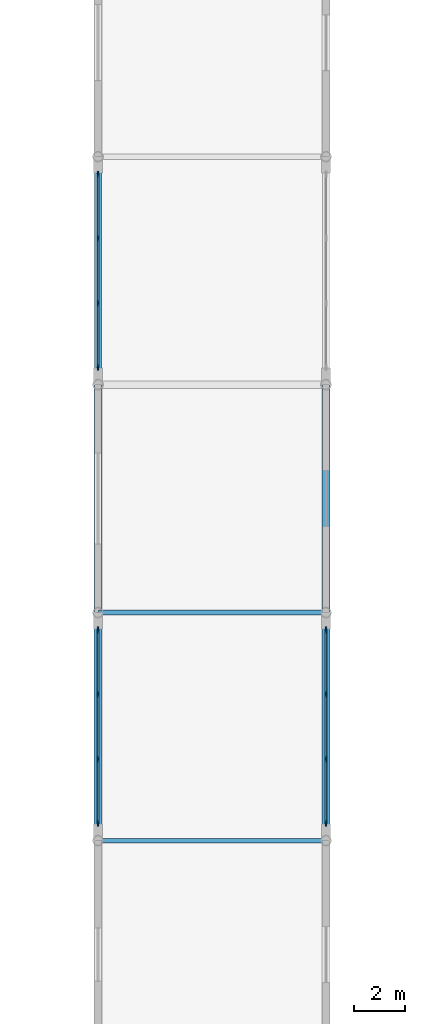
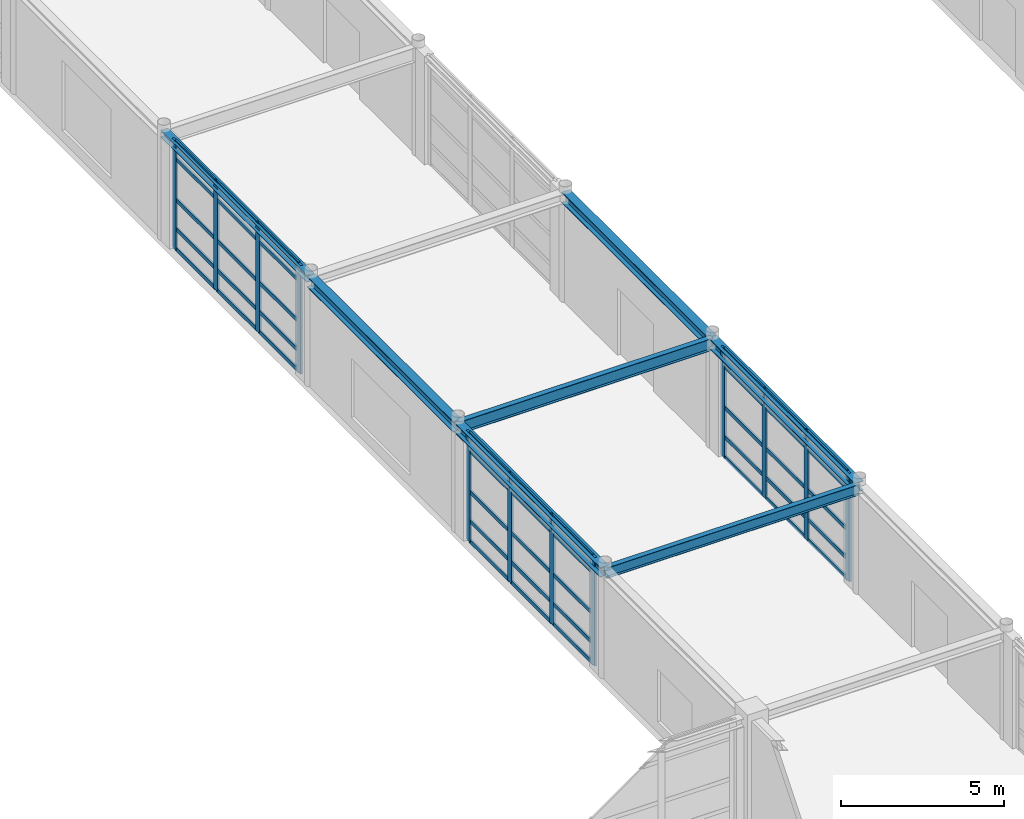
# One storey, part 26 of 72: 57 members, 7 beams, 3 elements without a shape of their own.
"""IFC4 building model written with IfcOpenShell, lengths in metres."""

from ifc_helpers import new_model, si_unit, direction, frame, origin, origin_2d, place, context, subcontext, project, spatial, rectangle, i_section, extrude, material, material_profile, profile_set, type_object, element, aggregate, save


model = new_model("IFC4")

# Units and contexts
model_context = context("Model", 3, precision=1e-05, world=origin(), true_north=direction((0.0, 1.0)))
body_context = subcontext(model_context, "Body", "Model", "MODEL_VIEW")
ifc_project = project(units=[si_unit("LENGTHUNIT", "METRE"), si_unit("AREAUNIT", "SQUARE_METRE"), si_unit("VOLUMEUNIT", "CUBIC_METRE"), si_unit("PLANEANGLEUNIT", "RADIAN"), si_unit("MASSUNIT", "GRAM", prefix="KILO")], contexts=[model_context])

# Site, building, storey
site_placement = place(None, origin())
site = spatial("IfcSite", under=ifc_project, at=site_placement, CompositionType="ELEMENT")
building_placement = place(site_placement, origin())
building = spatial("IfcBuilding", under=site, at=building_placement, Name="Palais des Congres Ocreval", CompositionType="ELEMENT")
storey_placement = place(building_placement, origin())
storey = spatial("IfcBuildingStorey", under=building, at=storey_placement, Name="L00", CompositionType="ELEMENT", Elevation=0.0)

# Beams
ifc_material_1 = material(Name="Steel S355", Category="steel")
ifc_material_profile_1 = material_profile(ifc_material_1, i_section(OverallWidth=0.179931640625, OverallDepth=0.39990234375, WebThickness=0.008544921875, FlangeThickness=0.013427734375, at=origin_2d()), Name="IPE 400")
ifc_profile_set_1 = profile_set([ifc_material_profile_1], Name="Steel S355")
beam_type_1 = type_object("IfcBeamType", Name="Composite Beam IPE 400 Steel S355", PredefinedType="BEAM", material=ifc_profile_set_1)
beam_1_placement = place(storey_placement, frame((72.02001953125, 27.0, 3.85498046875), z_axis=(1.0, 0.0, 0.0), x_axis=(0.0, 1.0, 0.0)))
element("IfcBeam", 1, at=beam_1_placement, inside=storey, type_object=beam_type_1, Name="Beam B02 L00", PredefinedType="BEAM", context=body_context, shape_type="SweptSolid", body=[
    extrude(i_section(OverallWidth=0.179931640625, OverallDepth=0.39990234375, WebThickness=0.008544921875, FlangeThickness=0.013427734375, at=origin_2d()), origin(), (0.0, 0.0, 1.0), 8.9599609375),
])
ifc_material_profile_2 = material_profile(ifc_material_1, i_section(OverallWidth=0.18994140625, OverallDepth=0.449951171875, WebThickness=0.009521484375, FlangeThickness=0.0146484375, at=origin_2d()), Name="IPE 450")
ifc_profile_set_2 = profile_set([ifc_material_profile_2], Name="Steel S355")
beam_type_2 = type_object("IfcBeamType", Name="Composite Beam IPE 450 Steel S355", PredefinedType="BEAM", material=ifc_profile_set_2)
beam_2_placement = place(storey_placement, frame((72.02001953125, 36.0, 3.830078125), z_axis=(1.0, 0.0, 0.0), x_axis=(0.0, 1.0, 0.0)))
element("IfcBeam", 2, at=beam_2_placement, inside=storey, type_object=beam_type_2, Name="Beam B03 L00", PredefinedType="BEAM", context=body_context, shape_type="SweptSolid", body=[
    extrude(i_section(OverallWidth=0.18994140625, OverallDepth=0.449951171875, WebThickness=0.009521484375, FlangeThickness=0.0146484375, at=origin_2d()), origin(), (0.0, 0.0, 1.0), 8.9599609375),
])

# Curtain wall, members
ifc_material_2 = material(Name="Anodized bronze aluminium and low-E glass", Category="glass")
curtain_wall_type = type_object("IfcCurtainWallType", Name="Unitised Curtain Wall 7900x4060", PredefinedType="USERDEFINED", material=ifc_material_2)
curtain_wall_1_placement = place(storey_placement, origin())
curtain_wall_1 = element("IfcCurtainWall", 3, at=curtain_wall_1_placement, inside=storey, type_object=curtain_wall_type, Name="Unitised Curtain Wall CW01 L00", ObjectType="UNITISED CURTAIN WALL", PredefinedType="USERDEFINED")
ifc_material_3 = material(Name="Anodized bronze aluminium", Category="aluminium")
ifc_material_profile_3 = material_profile(ifc_material_3, rectangle(XDim=0.074951171875, YDim=0.239990234375, at=origin_2d()), Name="ALU 75x240")
ifc_profile_set_3 = profile_set([ifc_material_profile_3], Name="Anodized bronze aluminium")
member_type_1 = type_object("IfcMemberType", Name="Curtain Wall Mullion ALU 75x240", PredefinedType="MULLION", material=ifc_profile_set_3)
member_1_placement = place(storey_placement, frame((81.0, 35.3125, 0.0), z_axis=(0.0, 0.0, 1.0), x_axis=(1.0, 0.0, 0.0)))
member_1 = element("IfcMember", 4, at=member_1_placement, type_object=member_type_1, Name="Curtain Wall Mullion ML01", PredefinedType="MULLION", context=body_context, shape_type="SweptSolid", body=[
    extrude(rectangle(XDim=0.074951171875, YDim=0.239990234375, at=origin_2d()), origin(), (0.0, 0.0, 1.0), 4.054931640625),
])
member_2_placement = place(storey_placement, frame((81.0, 32.783203125, 0.0), z_axis=(0.0, 0.0, 1.0), x_axis=(1.0, 0.0, 0.0)))
member_2 = element("IfcMember", 5, at=member_2_placement, type_object=member_type_1, Name="Curtain Wall Mullion ML01", PredefinedType="MULLION", context=body_context, shape_type="SweptSolid", body=[
    extrude(rectangle(XDim=0.074951171875, YDim=0.239990234375, at=origin_2d()), origin(), (0.0, 0.0, 1.0), 4.054931640625),
])
member_3_placement = place(storey_placement, frame((81.0, 30.216796875, 0.0), z_axis=(0.0, 0.0, 1.0), x_axis=(1.0, 0.0, 0.0)))
member_3 = element("IfcMember", 6, at=member_3_placement, type_object=member_type_1, Name="Curtain Wall Mullion ML01", PredefinedType="MULLION", context=body_context, shape_type="SweptSolid", body=[
    extrude(rectangle(XDim=0.074951171875, YDim=0.239990234375, at=origin_2d()), origin(), (0.0, 0.0, 1.0), 4.054931640625),
])
member_4_placement = place(storey_placement, frame((81.0, 27.6875, 0.0), z_axis=(0.0, 0.0, 1.0), x_axis=(1.0, 0.0, 0.0)))
member_4 = element("IfcMember", 7, at=member_4_placement, type_object=member_type_1, Name="Curtain Wall Mullion ML01", PredefinedType="MULLION", context=body_context, shape_type="SweptSolid", body=[
    extrude(rectangle(XDim=0.074951171875, YDim=0.239990234375, at=origin_2d()), origin(), (0.0, 0.0, 1.0), 4.054931640625),
])

curtain_wall_2_placement = place(storey_placement, origin())
curtain_wall_2 = element("IfcCurtainWall", 8, at=curtain_wall_2_placement, inside=storey, type_object=curtain_wall_type, Name="Unitised Curtain Wall CW01 L00", ObjectType="UNITISED CURTAIN WALL", PredefinedType="USERDEFINED")
member_5_placement = place(storey_placement, frame((72.0, 27.6875, 0.0), z_axis=(0.0, 0.0, 1.0), x_axis=(-1.0, 0.0, 0.0)))
member_5 = element("IfcMember", 9, at=member_5_placement, type_object=member_type_1, Name="Curtain Wall Mullion ML01", PredefinedType="MULLION", context=body_context, shape_type="SweptSolid", body=[
    extrude(rectangle(XDim=0.074951171875, YDim=0.239990234375, at=origin_2d()), origin(), (0.0, 0.0, 1.0), 4.054931640625),
])
member_6_placement = place(storey_placement, frame((72.0, 30.216796875, 0.0), z_axis=(0.0, 0.0, 1.0), x_axis=(-1.0, 0.0, 0.0)))
member_6 = element("IfcMember", 10, at=member_6_placement, type_object=member_type_1, Name="Curtain Wall Mullion ML01", PredefinedType="MULLION", context=body_context, shape_type="SweptSolid", body=[
    extrude(rectangle(XDim=0.074951171875, YDim=0.239990234375, at=origin_2d()), origin(), (0.0, 0.0, 1.0), 4.054931640625),
])
member_7_placement = place(storey_placement, frame((72.0, 32.783203125, 0.0), z_axis=(0.0, 0.0, 1.0), x_axis=(-1.0, 0.0, 0.0)))
member_7 = element("IfcMember", 11, at=member_7_placement, type_object=member_type_1, Name="Curtain Wall Mullion ML01", PredefinedType="MULLION", context=body_context, shape_type="SweptSolid", body=[
    extrude(rectangle(XDim=0.074951171875, YDim=0.239990234375, at=origin_2d()), origin(), (0.0, 0.0, 1.0), 4.054931640625),
])
member_8_placement = place(storey_placement, frame((72.0, 35.3125, 0.0), z_axis=(0.0, 0.0, 1.0), x_axis=(-1.0, 0.0, 0.0)))
member_8 = element("IfcMember", 12, at=member_8_placement, type_object=member_type_1, Name="Curtain Wall Mullion ML01", PredefinedType="MULLION", context=body_context, shape_type="SweptSolid", body=[
    extrude(rectangle(XDim=0.074951171875, YDim=0.239990234375, at=origin_2d()), origin(), (0.0, 0.0, 1.0), 4.054931640625),
])

curtain_wall_3_placement = place(storey_placement, origin())
curtain_wall_3 = element("IfcCurtainWall", 13, at=curtain_wall_3_placement, inside=storey, type_object=curtain_wall_type, Name="Unitised Curtain Wall CW01 L00", ObjectType="UNITISED CURTAIN WALL", PredefinedType="USERDEFINED")
member_9_placement = place(storey_placement, frame((72.0, 45.6875, 0.0), z_axis=(0.0, 0.0, 1.0), x_axis=(-1.0, 0.0, 0.0)))
member_9 = element("IfcMember", 14, at=member_9_placement, type_object=member_type_1, Name="Curtain Wall Mullion ML01", PredefinedType="MULLION", context=body_context, shape_type="SweptSolid", body=[
    extrude(rectangle(XDim=0.074951171875, YDim=0.239990234375, at=origin_2d()), origin(), (0.0, 0.0, 1.0), 4.054931640625),
])
member_10_placement = place(storey_placement, frame((72.0, 48.216796875, 0.0), z_axis=(0.0, 0.0, 1.0), x_axis=(-1.0, 0.0, 0.0)))
member_10 = element("IfcMember", 15, at=member_10_placement, type_object=member_type_1, Name="Curtain Wall Mullion ML01", PredefinedType="MULLION", context=body_context, shape_type="SweptSolid", body=[
    extrude(rectangle(XDim=0.074951171875, YDim=0.239990234375, at=origin_2d()), origin(), (0.0, 0.0, 1.0), 4.054931640625),
])
member_11_placement = place(storey_placement, frame((72.0, 50.783203125, 0.0), z_axis=(0.0, 0.0, 1.0), x_axis=(-1.0, 0.0, 0.0)))
member_11 = element("IfcMember", 16, at=member_11_placement, type_object=member_type_1, Name="Curtain Wall Mullion ML01", PredefinedType="MULLION", context=body_context, shape_type="SweptSolid", body=[
    extrude(rectangle(XDim=0.074951171875, YDim=0.239990234375, at=origin_2d()), origin(), (0.0, 0.0, 1.0), 4.054931640625),
])
member_12_placement = place(storey_placement, frame((72.0, 53.3125, 0.0), z_axis=(0.0, 0.0, 1.0), x_axis=(-1.0, 0.0, 0.0)))
member_12 = element("IfcMember", 17, at=member_12_placement, type_object=member_type_1, Name="Curtain Wall Mullion ML01", PredefinedType="MULLION", context=body_context, shape_type="SweptSolid", body=[
    extrude(rectangle(XDim=0.074951171875, YDim=0.239990234375, at=origin_2d()), origin(), (0.0, 0.0, 1.0), 4.054931640625),
])

# Member
ifc_material_profile_4 = material_profile(ifc_material_3, rectangle(XDim=0.06005859375, YDim=0.14990234375, at=origin_2d()), Name="ALU 60x150")
ifc_profile_set_4 = profile_set([ifc_material_profile_4], Name="Anodized bronze aluminium")
member_type_2 = type_object("IfcMemberType", Name="Curtain Wall Transom ALU 60x150", PredefinedType="USERDEFINED", material=ifc_profile_set_4)
member_13_placement = place(storey_placement, frame((81.0, 35.27490234375, 0.030029296875), z_axis=(0.0, -1.0, 0.0), x_axis=(1.0, 0.0, 0.0)))
member_13 = element("IfcMember", 18, at=member_13_placement, type_object=member_type_2, Name="Curtain Wall Transom TR01", ObjectType="TRANSOM", PredefinedType="USERDEFINED", context=body_context, shape_type="SweptSolid", body=[
    extrude(rectangle(XDim=0.06005859375, YDim=0.14990234375, at=origin_2d()), origin(), (0.0, 0.0, 1.0), 2.4541015625),
])

member_14_placement = place(storey_placement, frame((81.0, 35.27490234375, 0.780029296875), z_axis=(0.0, -1.0, 0.0), x_axis=(1.0, 0.0, 0.0)))
member_14 = element("IfcMember", 19, at=member_14_placement, type_object=member_type_2, Name="Curtain Wall Transom TR01", ObjectType="TRANSOM", PredefinedType="USERDEFINED", context=body_context, shape_type="SweptSolid", body=[
    extrude(rectangle(XDim=0.06005859375, YDim=0.14990234375, at=origin_2d()), origin(), (0.0, 0.0, 1.0), 2.4541015625),
])

member_15_placement = place(storey_placement, frame((81.0, 35.27490234375, 1.872802734375), z_axis=(0.0, -1.0, 0.0), x_axis=(1.0, 0.0, 0.0)))
member_15 = element("IfcMember", 20, at=member_15_placement, type_object=member_type_2, Name="Curtain Wall Transom TR01", ObjectType="TRANSOM", PredefinedType="USERDEFINED", context=body_context, shape_type="SweptSolid", body=[
    extrude(rectangle(XDim=0.06005859375, YDim=0.14990234375, at=origin_2d()), origin(), (0.0, 0.0, 1.0), 2.4541015625),
])

member_16_placement = place(storey_placement, frame((81.0, 35.27490234375, 3.405029296875), z_axis=(0.0, -1.0, 0.0), x_axis=(1.0, 0.0, 0.0)))
member_16 = element("IfcMember", 21, at=member_16_placement, type_object=member_type_2, Name="Curtain Wall Transom TR01", ObjectType="TRANSOM", PredefinedType="USERDEFINED", context=body_context, shape_type="SweptSolid", body=[
    extrude(rectangle(XDim=0.06005859375, YDim=0.14990234375, at=origin_2d()), origin(), (0.0, 0.0, 1.0), 2.4541015625),
])

member_17_placement = place(storey_placement, frame((81.0, 35.27490234375, 4.02490234375), z_axis=(0.0, -1.0, 0.0), x_axis=(1.0, 0.0, 0.0)))
member_17 = element("IfcMember", 22, at=member_17_placement, type_object=member_type_2, Name="Curtain Wall Transom TR01", ObjectType="TRANSOM", PredefinedType="USERDEFINED", context=body_context, shape_type="SweptSolid", body=[
    extrude(rectangle(XDim=0.06005859375, YDim=0.14990234375, at=origin_2d()), origin(), (0.0, 0.0, 1.0), 2.4541015625),
])

member_18_placement = place(storey_placement, frame((81.0, 32.745849609375, 0.030029296875), z_axis=(0.0, -1.0, 0.0), x_axis=(1.0, 0.0, 0.0)))
member_18 = element("IfcMember", 23, at=member_18_placement, type_object=member_type_2, Name="Curtain Wall Transom TR01", ObjectType="TRANSOM", PredefinedType="USERDEFINED", context=body_context, shape_type="SweptSolid", body=[
    extrude(rectangle(XDim=0.06005859375, YDim=0.14990234375, at=origin_2d()), origin(), (0.0, 0.0, 1.0), 2.49169921875),
])

member_19_placement = place(storey_placement, frame((81.0, 32.745849609375, 0.780029296875), z_axis=(0.0, -1.0, 0.0), x_axis=(1.0, 0.0, 0.0)))
member_19 = element("IfcMember", 24, at=member_19_placement, type_object=member_type_2, Name="Curtain Wall Transom TR01", ObjectType="TRANSOM", PredefinedType="USERDEFINED", context=body_context, shape_type="SweptSolid", body=[
    extrude(rectangle(XDim=0.06005859375, YDim=0.14990234375, at=origin_2d()), origin(), (0.0, 0.0, 1.0), 2.49169921875),
])

member_20_placement = place(storey_placement, frame((81.0, 32.745849609375, 1.872802734375), z_axis=(0.0, -1.0, 0.0), x_axis=(1.0, 0.0, 0.0)))
member_20 = element("IfcMember", 25, at=member_20_placement, type_object=member_type_2, Name="Curtain Wall Transom TR01", ObjectType="TRANSOM", PredefinedType="USERDEFINED", context=body_context, shape_type="SweptSolid", body=[
    extrude(rectangle(XDim=0.06005859375, YDim=0.14990234375, at=origin_2d()), origin(), (0.0, 0.0, 1.0), 2.49169921875),
])

member_21_placement = place(storey_placement, frame((81.0, 32.745849609375, 3.405029296875), z_axis=(0.0, -1.0, 0.0), x_axis=(1.0, 0.0, 0.0)))
member_21 = element("IfcMember", 26, at=member_21_placement, type_object=member_type_2, Name="Curtain Wall Transom TR01", ObjectType="TRANSOM", PredefinedType="USERDEFINED", context=body_context, shape_type="SweptSolid", body=[
    extrude(rectangle(XDim=0.06005859375, YDim=0.14990234375, at=origin_2d()), origin(), (0.0, 0.0, 1.0), 2.49169921875),
])

member_22_placement = place(storey_placement, frame((81.0, 32.745849609375, 4.02490234375), z_axis=(0.0, -1.0, 0.0), x_axis=(1.0, 0.0, 0.0)))
member_22 = element("IfcMember", 27, at=member_22_placement, type_object=member_type_2, Name="Curtain Wall Transom TR01", ObjectType="TRANSOM", PredefinedType="USERDEFINED", context=body_context, shape_type="SweptSolid", body=[
    extrude(rectangle(XDim=0.06005859375, YDim=0.14990234375, at=origin_2d()), origin(), (0.0, 0.0, 1.0), 2.49169921875),
])

member_23_placement = place(storey_placement, frame((81.0, 30.17919921875, 0.030029296875), z_axis=(0.0, -1.0, 0.0), x_axis=(1.0, 0.0, 0.0)))
member_23 = element("IfcMember", 28, at=member_23_placement, type_object=member_type_2, Name="Curtain Wall Transom TR01", ObjectType="TRANSOM", PredefinedType="USERDEFINED", context=body_context, shape_type="SweptSolid", body=[
    extrude(rectangle(XDim=0.06005859375, YDim=0.14990234375, at=origin_2d()), origin(), (0.0, 0.0, 1.0), 2.4541015625),
])

member_24_placement = place(storey_placement, frame((81.0, 30.17919921875, 0.780029296875), z_axis=(0.0, -1.0, 0.0), x_axis=(1.0, 0.0, 0.0)))
member_24 = element("IfcMember", 29, at=member_24_placement, type_object=member_type_2, Name="Curtain Wall Transom TR01", ObjectType="TRANSOM", PredefinedType="USERDEFINED", context=body_context, shape_type="SweptSolid", body=[
    extrude(rectangle(XDim=0.06005859375, YDim=0.14990234375, at=origin_2d()), origin(), (0.0, 0.0, 1.0), 2.4541015625),
])

member_25_placement = place(storey_placement, frame((81.0, 30.17919921875, 1.872802734375), z_axis=(0.0, -1.0, 0.0), x_axis=(1.0, 0.0, 0.0)))
member_25 = element("IfcMember", 30, at=member_25_placement, type_object=member_type_2, Name="Curtain Wall Transom TR01", ObjectType="TRANSOM", PredefinedType="USERDEFINED", context=body_context, shape_type="SweptSolid", body=[
    extrude(rectangle(XDim=0.06005859375, YDim=0.14990234375, at=origin_2d()), origin(), (0.0, 0.0, 1.0), 2.4541015625),
])

member_26_placement = place(storey_placement, frame((81.0, 30.17919921875, 3.405029296875), z_axis=(0.0, -1.0, 0.0), x_axis=(1.0, 0.0, 0.0)))
member_26 = element("IfcMember", 31, at=member_26_placement, type_object=member_type_2, Name="Curtain Wall Transom TR01", ObjectType="TRANSOM", PredefinedType="USERDEFINED", context=body_context, shape_type="SweptSolid", body=[
    extrude(rectangle(XDim=0.06005859375, YDim=0.14990234375, at=origin_2d()), origin(), (0.0, 0.0, 1.0), 2.4541015625),
])

member_27_placement = place(storey_placement, frame((81.0, 30.17919921875, 4.02490234375), z_axis=(0.0, -1.0, 0.0), x_axis=(1.0, 0.0, 0.0)))
member_27 = element("IfcMember", 32, at=member_27_placement, type_object=member_type_2, Name="Curtain Wall Transom TR01", ObjectType="TRANSOM", PredefinedType="USERDEFINED", context=body_context, shape_type="SweptSolid", body=[
    extrude(rectangle(XDim=0.06005859375, YDim=0.14990234375, at=origin_2d()), origin(), (0.0, 0.0, 1.0), 2.4541015625),
])

aggregate(curtain_wall_1, [member_1, member_2, member_3, member_4, member_13, member_14, member_15, member_16, member_17, member_18, member_19, member_20, member_21, member_22, member_23, member_24, member_25, member_26, member_27])

member_28_placement = place(storey_placement, frame((72.0, 27.72509765625, 0.030029296875), z_axis=(0.0, 1.0, 0.0), x_axis=(-1.0, 0.0, 0.0)))
member_28 = element("IfcMember", 33, at=member_28_placement, type_object=member_type_2, Name="Curtain Wall Transom TR01", ObjectType="TRANSOM", PredefinedType="USERDEFINED", context=body_context, shape_type="SweptSolid", body=[
    extrude(rectangle(XDim=0.06005859375, YDim=0.14990234375, at=origin_2d()), origin(), (0.0, 0.0, 1.0), 2.4541015625),
])

member_29_placement = place(storey_placement, frame((72.0, 27.72509765625, 0.780029296875), z_axis=(0.0, 1.0, 0.0), x_axis=(-1.0, 0.0, 0.0)))
member_29 = element("IfcMember", 34, at=member_29_placement, type_object=member_type_2, Name="Curtain Wall Transom TR01", ObjectType="TRANSOM", PredefinedType="USERDEFINED", context=body_context, shape_type="SweptSolid", body=[
    extrude(rectangle(XDim=0.06005859375, YDim=0.14990234375, at=origin_2d()), origin(), (0.0, 0.0, 1.0), 2.4541015625),
])

member_30_placement = place(storey_placement, frame((72.0, 27.72509765625, 1.872802734375), z_axis=(0.0, 1.0, 0.0), x_axis=(-1.0, 0.0, 0.0)))
member_30 = element("IfcMember", 35, at=member_30_placement, type_object=member_type_2, Name="Curtain Wall Transom TR01", ObjectType="TRANSOM", PredefinedType="USERDEFINED", context=body_context, shape_type="SweptSolid", body=[
    extrude(rectangle(XDim=0.06005859375, YDim=0.14990234375, at=origin_2d()), origin(), (0.0, 0.0, 1.0), 2.4541015625),
])

member_31_placement = place(storey_placement, frame((72.0, 27.72509765625, 3.405029296875), z_axis=(0.0, 1.0, 0.0), x_axis=(-1.0, 0.0, 0.0)))
member_31 = element("IfcMember", 36, at=member_31_placement, type_object=member_type_2, Name="Curtain Wall Transom TR01", ObjectType="TRANSOM", PredefinedType="USERDEFINED", context=body_context, shape_type="SweptSolid", body=[
    extrude(rectangle(XDim=0.06005859375, YDim=0.14990234375, at=origin_2d()), origin(), (0.0, 0.0, 1.0), 2.4541015625),
])

member_32_placement = place(storey_placement, frame((72.0, 27.72509765625, 4.02490234375), z_axis=(0.0, 1.0, 0.0), x_axis=(-1.0, 0.0, 0.0)))
member_32 = element("IfcMember", 37, at=member_32_placement, type_object=member_type_2, Name="Curtain Wall Transom TR01", ObjectType="TRANSOM", PredefinedType="USERDEFINED", context=body_context, shape_type="SweptSolid", body=[
    extrude(rectangle(XDim=0.06005859375, YDim=0.14990234375, at=origin_2d()), origin(), (0.0, 0.0, 1.0), 2.4541015625),
])

member_33_placement = place(storey_placement, frame((72.0, 30.254150390625, 0.030029296875), z_axis=(0.0, 1.0, 0.0), x_axis=(-1.0, 0.0, 0.0)))
member_33 = element("IfcMember", 38, at=member_33_placement, type_object=member_type_2, Name="Curtain Wall Transom TR01", ObjectType="TRANSOM", PredefinedType="USERDEFINED", context=body_context, shape_type="SweptSolid", body=[
    extrude(rectangle(XDim=0.06005859375, YDim=0.14990234375, at=origin_2d()), origin(), (0.0, 0.0, 1.0), 2.49169921875),
])

member_34_placement = place(storey_placement, frame((72.0, 30.254150390625, 0.780029296875), z_axis=(0.0, 1.0, 0.0), x_axis=(-1.0, 0.0, 0.0)))
member_34 = element("IfcMember", 39, at=member_34_placement, type_object=member_type_2, Name="Curtain Wall Transom TR01", ObjectType="TRANSOM", PredefinedType="USERDEFINED", context=body_context, shape_type="SweptSolid", body=[
    extrude(rectangle(XDim=0.06005859375, YDim=0.14990234375, at=origin_2d()), origin(), (0.0, 0.0, 1.0), 2.49169921875),
])

member_35_placement = place(storey_placement, frame((72.0, 30.254150390625, 1.872802734375), z_axis=(0.0, 1.0, 0.0), x_axis=(-1.0, 0.0, 0.0)))
member_35 = element("IfcMember", 40, at=member_35_placement, type_object=member_type_2, Name="Curtain Wall Transom TR01", ObjectType="TRANSOM", PredefinedType="USERDEFINED", context=body_context, shape_type="SweptSolid", body=[
    extrude(rectangle(XDim=0.06005859375, YDim=0.14990234375, at=origin_2d()), origin(), (0.0, 0.0, 1.0), 2.49169921875),
])

member_36_placement = place(storey_placement, frame((72.0, 30.254150390625, 3.405029296875), z_axis=(0.0, 1.0, 0.0), x_axis=(-1.0, 0.0, 0.0)))
member_36 = element("IfcMember", 41, at=member_36_placement, type_object=member_type_2, Name="Curtain Wall Transom TR01", ObjectType="TRANSOM", PredefinedType="USERDEFINED", context=body_context, shape_type="SweptSolid", body=[
    extrude(rectangle(XDim=0.06005859375, YDim=0.14990234375, at=origin_2d()), origin(), (0.0, 0.0, 1.0), 2.49169921875),
])

member_37_placement = place(storey_placement, frame((72.0, 30.254150390625, 4.02490234375), z_axis=(0.0, 1.0, 0.0), x_axis=(-1.0, 0.0, 0.0)))
member_37 = element("IfcMember", 42, at=member_37_placement, type_object=member_type_2, Name="Curtain Wall Transom TR01", ObjectType="TRANSOM", PredefinedType="USERDEFINED", context=body_context, shape_type="SweptSolid", body=[
    extrude(rectangle(XDim=0.06005859375, YDim=0.14990234375, at=origin_2d()), origin(), (0.0, 0.0, 1.0), 2.49169921875),
])

member_38_placement = place(storey_placement, frame((72.0, 32.82080078125, 0.030029296875), z_axis=(0.0, 1.0, 0.0), x_axis=(-1.0, 0.0, 0.0)))
member_38 = element("IfcMember", 43, at=member_38_placement, type_object=member_type_2, Name="Curtain Wall Transom TR01", ObjectType="TRANSOM", PredefinedType="USERDEFINED", context=body_context, shape_type="SweptSolid", body=[
    extrude(rectangle(XDim=0.06005859375, YDim=0.14990234375, at=origin_2d()), origin(), (0.0, 0.0, 1.0), 2.4541015625),
])

member_39_placement = place(storey_placement, frame((72.0, 32.82080078125, 0.780029296875), z_axis=(0.0, 1.0, 0.0), x_axis=(-1.0, 0.0, 0.0)))
member_39 = element("IfcMember", 44, at=member_39_placement, type_object=member_type_2, Name="Curtain Wall Transom TR01", ObjectType="TRANSOM", PredefinedType="USERDEFINED", context=body_context, shape_type="SweptSolid", body=[
    extrude(rectangle(XDim=0.06005859375, YDim=0.14990234375, at=origin_2d()), origin(), (0.0, 0.0, 1.0), 2.4541015625),
])

member_40_placement = place(storey_placement, frame((72.0, 32.82080078125, 1.872802734375), z_axis=(0.0, 1.0, 0.0), x_axis=(-1.0, 0.0, 0.0)))
member_40 = element("IfcMember", 45, at=member_40_placement, type_object=member_type_2, Name="Curtain Wall Transom TR01", ObjectType="TRANSOM", PredefinedType="USERDEFINED", context=body_context, shape_type="SweptSolid", body=[
    extrude(rectangle(XDim=0.06005859375, YDim=0.14990234375, at=origin_2d()), origin(), (0.0, 0.0, 1.0), 2.4541015625),
])

member_41_placement = place(storey_placement, frame((72.0, 32.82080078125, 3.405029296875), z_axis=(0.0, 1.0, 0.0), x_axis=(-1.0, 0.0, 0.0)))
member_41 = element("IfcMember", 46, at=member_41_placement, type_object=member_type_2, Name="Curtain Wall Transom TR01", ObjectType="TRANSOM", PredefinedType="USERDEFINED", context=body_context, shape_type="SweptSolid", body=[
    extrude(rectangle(XDim=0.06005859375, YDim=0.14990234375, at=origin_2d()), origin(), (0.0, 0.0, 1.0), 2.4541015625),
])

member_42_placement = place(storey_placement, frame((72.0, 32.82080078125, 4.02490234375), z_axis=(0.0, 1.0, 0.0), x_axis=(-1.0, 0.0, 0.0)))
member_42 = element("IfcMember", 47, at=member_42_placement, type_object=member_type_2, Name="Curtain Wall Transom TR01", ObjectType="TRANSOM", PredefinedType="USERDEFINED", context=body_context, shape_type="SweptSolid", body=[
    extrude(rectangle(XDim=0.06005859375, YDim=0.14990234375, at=origin_2d()), origin(), (0.0, 0.0, 1.0), 2.4541015625),
])

aggregate(curtain_wall_2, [member_5, member_6, member_7, member_8, member_28, member_29, member_30, member_31, member_32, member_33, member_34, member_35, member_36, member_37, member_38, member_39, member_40, member_41, member_42])

member_43_placement = place(storey_placement, frame((72.0, 45.72509765625, 0.030029296875), z_axis=(0.0, 1.0, 0.0), x_axis=(-1.0, 0.0, 0.0)))
member_43 = element("IfcMember", 48, at=member_43_placement, type_object=member_type_2, Name="Curtain Wall Transom TR01", ObjectType="TRANSOM", PredefinedType="USERDEFINED", context=body_context, shape_type="SweptSolid", body=[
    extrude(rectangle(XDim=0.06005859375, YDim=0.14990234375, at=origin_2d()), origin(), (0.0, 0.0, 1.0), 2.4541015625),
])

member_44_placement = place(storey_placement, frame((72.0, 45.72509765625, 0.780029296875), z_axis=(0.0, 1.0, 0.0), x_axis=(-1.0, 0.0, 0.0)))
member_44 = element("IfcMember", 49, at=member_44_placement, type_object=member_type_2, Name="Curtain Wall Transom TR01", ObjectType="TRANSOM", PredefinedType="USERDEFINED", context=body_context, shape_type="SweptSolid", body=[
    extrude(rectangle(XDim=0.06005859375, YDim=0.14990234375, at=origin_2d()), origin(), (0.0, 0.0, 1.0), 2.4541015625),
])

member_45_placement = place(storey_placement, frame((72.0, 45.72509765625, 1.872802734375), z_axis=(0.0, 1.0, 0.0), x_axis=(-1.0, 0.0, 0.0)))
member_45 = element("IfcMember", 50, at=member_45_placement, type_object=member_type_2, Name="Curtain Wall Transom TR01", ObjectType="TRANSOM", PredefinedType="USERDEFINED", context=body_context, shape_type="SweptSolid", body=[
    extrude(rectangle(XDim=0.06005859375, YDim=0.14990234375, at=origin_2d()), origin(), (0.0, 0.0, 1.0), 2.4541015625),
])

member_46_placement = place(storey_placement, frame((72.0, 45.72509765625, 3.405029296875), z_axis=(0.0, 1.0, 0.0), x_axis=(-1.0, 0.0, 0.0)))
member_46 = element("IfcMember", 51, at=member_46_placement, type_object=member_type_2, Name="Curtain Wall Transom TR01", ObjectType="TRANSOM", PredefinedType="USERDEFINED", context=body_context, shape_type="SweptSolid", body=[
    extrude(rectangle(XDim=0.06005859375, YDim=0.14990234375, at=origin_2d()), origin(), (0.0, 0.0, 1.0), 2.4541015625),
])

member_47_placement = place(storey_placement, frame((72.0, 45.72509765625, 4.02490234375), z_axis=(0.0, 1.0, 0.0), x_axis=(-1.0, 0.0, 0.0)))
member_47 = element("IfcMember", 52, at=member_47_placement, type_object=member_type_2, Name="Curtain Wall Transom TR01", ObjectType="TRANSOM", PredefinedType="USERDEFINED", context=body_context, shape_type="SweptSolid", body=[
    extrude(rectangle(XDim=0.06005859375, YDim=0.14990234375, at=origin_2d()), origin(), (0.0, 0.0, 1.0), 2.4541015625),
])

member_48_placement = place(storey_placement, frame((72.0, 48.254150390625, 0.030029296875), z_axis=(0.0, 1.0, 0.0), x_axis=(-1.0, 0.0, 0.0)))
member_48 = element("IfcMember", 53, at=member_48_placement, type_object=member_type_2, Name="Curtain Wall Transom TR01", ObjectType="TRANSOM", PredefinedType="USERDEFINED", context=body_context, shape_type="SweptSolid", body=[
    extrude(rectangle(XDim=0.06005859375, YDim=0.14990234375, at=origin_2d()), origin(), (0.0, 0.0, 1.0), 2.49169921875),
])

member_49_placement = place(storey_placement, frame((72.0, 48.254150390625, 0.780029296875), z_axis=(0.0, 1.0, 0.0), x_axis=(-1.0, 0.0, 0.0)))
member_49 = element("IfcMember", 54, at=member_49_placement, type_object=member_type_2, Name="Curtain Wall Transom TR01", ObjectType="TRANSOM", PredefinedType="USERDEFINED", context=body_context, shape_type="SweptSolid", body=[
    extrude(rectangle(XDim=0.06005859375, YDim=0.14990234375, at=origin_2d()), origin(), (0.0, 0.0, 1.0), 2.49169921875),
])

member_50_placement = place(storey_placement, frame((72.0, 48.254150390625, 1.872802734375), z_axis=(0.0, 1.0, 0.0), x_axis=(-1.0, 0.0, 0.0)))
member_50 = element("IfcMember", 55, at=member_50_placement, type_object=member_type_2, Name="Curtain Wall Transom TR01", ObjectType="TRANSOM", PredefinedType="USERDEFINED", context=body_context, shape_type="SweptSolid", body=[
    extrude(rectangle(XDim=0.06005859375, YDim=0.14990234375, at=origin_2d()), origin(), (0.0, 0.0, 1.0), 2.49169921875),
])

member_51_placement = place(storey_placement, frame((72.0, 48.254150390625, 3.405029296875), z_axis=(0.0, 1.0, 0.0), x_axis=(-1.0, 0.0, 0.0)))
member_51 = element("IfcMember", 56, at=member_51_placement, type_object=member_type_2, Name="Curtain Wall Transom TR01", ObjectType="TRANSOM", PredefinedType="USERDEFINED", context=body_context, shape_type="SweptSolid", body=[
    extrude(rectangle(XDim=0.06005859375, YDim=0.14990234375, at=origin_2d()), origin(), (0.0, 0.0, 1.0), 2.49169921875),
])

member_52_placement = place(storey_placement, frame((72.0, 48.254150390625, 4.02490234375), z_axis=(0.0, 1.0, 0.0), x_axis=(-1.0, 0.0, 0.0)))
member_52 = element("IfcMember", 57, at=member_52_placement, type_object=member_type_2, Name="Curtain Wall Transom TR01", ObjectType="TRANSOM", PredefinedType="USERDEFINED", context=body_context, shape_type="SweptSolid", body=[
    extrude(rectangle(XDim=0.06005859375, YDim=0.14990234375, at=origin_2d()), origin(), (0.0, 0.0, 1.0), 2.49169921875),
])

member_53_placement = place(storey_placement, frame((72.0, 50.82080078125, 0.030029296875), z_axis=(0.0, 1.0, 0.0), x_axis=(-1.0, 0.0, 0.0)))
member_53 = element("IfcMember", 58, at=member_53_placement, type_object=member_type_2, Name="Curtain Wall Transom TR01", ObjectType="TRANSOM", PredefinedType="USERDEFINED", context=body_context, shape_type="SweptSolid", body=[
    extrude(rectangle(XDim=0.06005859375, YDim=0.14990234375, at=origin_2d()), origin(), (0.0, 0.0, 1.0), 2.4541015625),
])

member_54_placement = place(storey_placement, frame((72.0, 50.82080078125, 0.780029296875), z_axis=(0.0, 1.0, 0.0), x_axis=(-1.0, 0.0, 0.0)))
member_54 = element("IfcMember", 59, at=member_54_placement, type_object=member_type_2, Name="Curtain Wall Transom TR01", ObjectType="TRANSOM", PredefinedType="USERDEFINED", context=body_context, shape_type="SweptSolid", body=[
    extrude(rectangle(XDim=0.06005859375, YDim=0.14990234375, at=origin_2d()), origin(), (0.0, 0.0, 1.0), 2.4541015625),
])

member_55_placement = place(storey_placement, frame((72.0, 50.82080078125, 1.872802734375), z_axis=(0.0, 1.0, 0.0), x_axis=(-1.0, 0.0, 0.0)))
member_55 = element("IfcMember", 60, at=member_55_placement, type_object=member_type_2, Name="Curtain Wall Transom TR01", ObjectType="TRANSOM", PredefinedType="USERDEFINED", context=body_context, shape_type="SweptSolid", body=[
    extrude(rectangle(XDim=0.06005859375, YDim=0.14990234375, at=origin_2d()), origin(), (0.0, 0.0, 1.0), 2.4541015625),
])

member_56_placement = place(storey_placement, frame((72.0, 50.82080078125, 3.405029296875), z_axis=(0.0, 1.0, 0.0), x_axis=(-1.0, 0.0, 0.0)))
member_56 = element("IfcMember", 61, at=member_56_placement, type_object=member_type_2, Name="Curtain Wall Transom TR01", ObjectType="TRANSOM", PredefinedType="USERDEFINED", context=body_context, shape_type="SweptSolid", body=[
    extrude(rectangle(XDim=0.06005859375, YDim=0.14990234375, at=origin_2d()), origin(), (0.0, 0.0, 1.0), 2.4541015625),
])

member_57_placement = place(storey_placement, frame((72.0, 50.82080078125, 4.02490234375), z_axis=(0.0, 1.0, 0.0), x_axis=(-1.0, 0.0, 0.0)))
member_57 = element("IfcMember", 62, at=member_57_placement, type_object=member_type_2, Name="Curtain Wall Transom TR01", ObjectType="TRANSOM", PredefinedType="USERDEFINED", context=body_context, shape_type="SweptSolid", body=[
    extrude(rectangle(XDim=0.06005859375, YDim=0.14990234375, at=origin_2d()), origin(), (0.0, 0.0, 1.0), 2.4541015625),
])

aggregate(curtain_wall_3, [member_9, member_10, member_11, member_12, member_43, member_44, member_45, member_46, member_47, member_48, member_49, member_50, member_51, member_52, member_53, member_54, member_55, member_56, member_57])

# Beams
ifc_material_profile_5 = material_profile(ifc_material_1, i_section(OverallWidth=0.260009765625, OverallDepth=0.260009765625, WebThickness=0.010009765625, FlangeThickness=0.017578125, at=origin_2d()), Name="HEB 260")
ifc_profile_set_5 = profile_set([ifc_material_profile_5], Name="Steel S355")
beam_type_3 = type_object("IfcBeamType", Name="Opening Lintel HEB 260 Steel S355", PredefinedType="LINTEL", material=ifc_profile_set_5)
beam_3_placement = place(storey_placement, frame((72.0, 45.02001953125, 3.925048828125), z_axis=(0.0, 1.0, 0.0), x_axis=(-1.0, 0.0, 0.0)))
element("IfcBeam", 63, at=beam_3_placement, inside=storey, type_object=beam_type_3, Name="Girder LN01 L00", PredefinedType="LINTEL", context=body_context, shape_type="SweptSolid", body=[
    extrude(i_section(OverallWidth=0.260009765625, OverallDepth=0.260009765625, WebThickness=0.010009765625, FlangeThickness=0.017578125, at=origin_2d()), origin(), (0.0, 0.0, 1.0), 8.9599609375),
])
ifc_material_profile_6 = material_profile(ifc_material_1, i_section(OverallWidth=0.300048828125, OverallDepth=0.360107421875, WebThickness=0.012451171875, FlangeThickness=0.0224609375, at=origin_2d()), Name="HEB 360")
ifc_profile_set_6 = profile_set([ifc_material_profile_6], Name="Steel S355")
beam_type_4 = type_object("IfcBeamType", Name="Perimeter Spandrel HEB 360 Steel S355", PredefinedType="SPANDREL", material=ifc_profile_set_6)
for number, where, z_axis, x_axis, name in (
    (64, (72.0, 27.02001953125, 3.875), (0.0, 1.0, 0.0), (-1.0, 0.0, 0.0), "Girder SP03 L00"),
    (65, (81.0, 27.02001953125, 3.875), (0.0, 1.0, 0.0), (-1.0, 0.0, 0.0), "Girder SP03 L00"),
):
    element("IfcBeam", number, at=place(storey_placement, frame(where, z_axis=z_axis, x_axis=x_axis)), inside=storey, type_object=beam_type_4, Name=name, PredefinedType="SPANDREL", context=body_context, shape_type="SweptSolid", body=[
        extrude(i_section(OverallWidth=0.300048828125, OverallDepth=0.360107421875, WebThickness=0.012451171875, FlangeThickness=0.0224609375, at=origin_2d()), origin(), (0.0, 0.0, 1.0), 8.9599609375),
    ])
ifc_material_profile_7 = material_profile(ifc_material_1, i_section(OverallWidth=0.300048828125, OverallDepth=0.39990234375, WebThickness=0.013427734375, FlangeThickness=0.02392578125, at=origin_2d()), Name="HEB 400")
ifc_profile_set_7 = profile_set([ifc_material_profile_7], Name="Steel S355")
beam_type_5 = type_object("IfcBeamType", Name="Perimeter Spandrel HEB 400 Steel S355", PredefinedType="SPANDREL", material=ifc_profile_set_7)
for number, where, z_axis, x_axis, name in (
    (66, (72.0, 36.02001953125, 3.85498046875), (0.0, 1.0, 0.0), (-1.0, 0.0, 0.0), "Girder SP04 L00"),
    (67, (81.0, 36.02001953125, 3.85498046875), (0.0, 1.0, 0.0), (-1.0, 0.0, 0.0), "Girder SP04 L00"),
):
    element("IfcBeam", number, at=place(storey_placement, frame(where, z_axis=z_axis, x_axis=x_axis)), inside=storey, type_object=beam_type_5, Name=name, PredefinedType="SPANDREL", context=body_context, shape_type="SweptSolid", body=[
        extrude(i_section(OverallWidth=0.300048828125, OverallDepth=0.39990234375, WebThickness=0.013427734375, FlangeThickness=0.02392578125, at=origin_2d()), origin(), (0.0, 0.0, 1.0), 8.9599609375),
    ])

save(model, "model.ifc")
